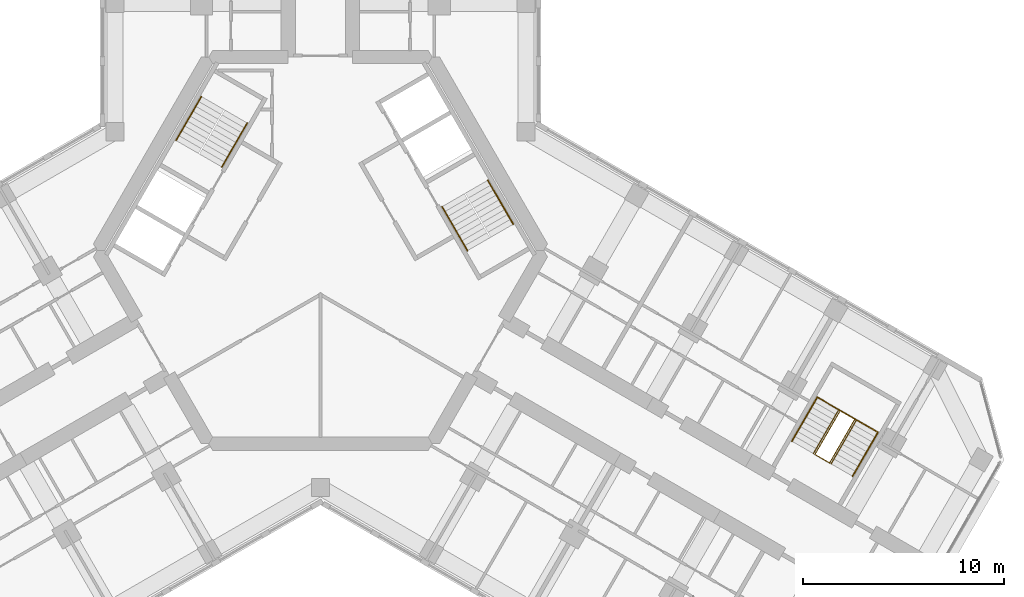
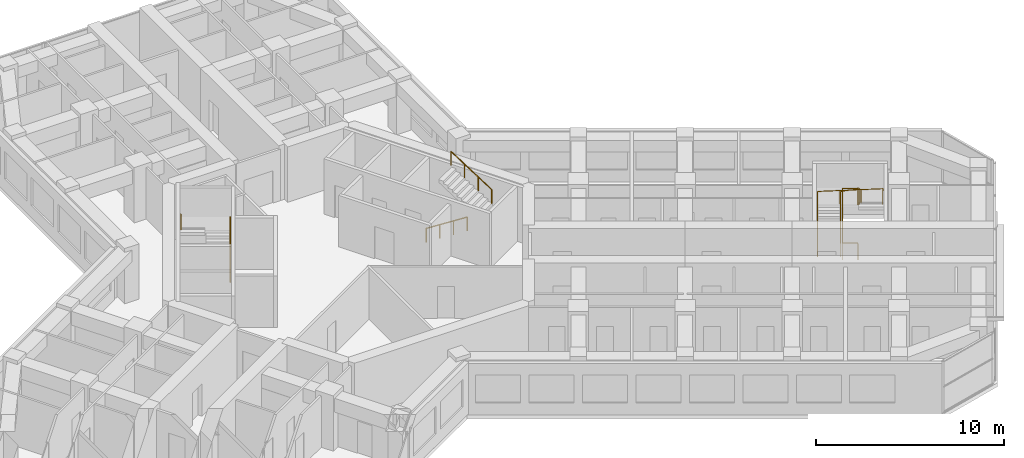
# One storey, part 16 of 16: 7 railings.
"""IFC4 building model written with IfcOpenShell, lengths in metres."""

from ifc_helpers import new_model, si_unit, direction, frame, origin, origin_2d, place, context, subcontext, project, spatial, circle, extrude, material, type_object, element, save


model = new_model("IFC4")

# Units and contexts
model_context = context("Model", 3, precision=1e-05, world=origin(), true_north=direction((0.0, 1.0)))
body_context = subcontext(model_context, "Body", "Model", "MODEL_VIEW")
ifc_project = project(units=[si_unit("LENGTHUNIT", "METRE"), si_unit("AREAUNIT", "SQUARE_METRE"), si_unit("VOLUMEUNIT", "CUBIC_METRE"), si_unit("PLANEANGLEUNIT", "RADIAN"), si_unit("MASSUNIT", "GRAM", prefix="KILO")], contexts=[model_context])

# Site, building, storey
site_placement = place(None, origin())
site = spatial("IfcSite", under=ifc_project, at=site_placement, CompositionType="ELEMENT")
building_placement = place(site_placement, origin())
building = spatial("IfcBuilding", under=site, at=building_placement, Name="Kosmar Iwan School Tower", CompositionType="ELEMENT")
storey_placement = place(building_placement, frame((0.0, 0.0, 204.60009765625)))
storey = spatial("IfcBuildingStorey", under=building, at=storey_placement, Name="L51", CompositionType="ELEMENT", Elevation=204.60009765625)

# Railings
ifc_material_1 = material(Name="Black steel", Category="steel")
railing_type_1 = type_object("IfcRailingType", Name="Stair handrail 900", PredefinedType="HANDRAIL", material=ifc_material_1)
railing_1_placement = place(storey_placement, frame((-4.89453125, 4.142333984375, 0.179931640625)))
element("IfcRailing", 1, at=railing_1_placement, inside=storey, type_object=railing_type_1, Name="Handrail ST2 flight 1", PredefinedType="HANDRAIL", context=body_context, shape_type="SweptSolid", body=[
    extrude(circle(Radius=0.02392578125, at=origin_2d()), frame((0.0, 0.0, 0.8759765625), z_axis=(0.42060268101, 0.72849590497, 0.54072830624), x_axis=(-0.866022637375, 0.500004791531, 0.0)), (0.0, 0.0, 1.0), 2.99560546875),
    extrude(circle(Radius=0.02099609375, at=origin_2d()), origin(), (0.0, 0.0, 1.0), 0.851806640625),
    extrude(circle(Radius=0.02099609375, at=origin_2d()), frame((0.419921875, 0.7275390625, 0.5400390625)), (0.0, 0.0, 1.0), 0.851806640625),
    extrude(circle(Radius=0.02099609375, at=origin_2d()), frame((0.840087890625, 1.454833984375, 1.079833984375)), (0.0, 0.0, 1.0), 0.851806640625),
    extrude(circle(Radius=0.02099609375, at=origin_2d()), frame((1.260009765625, 2.182373046875, 1.619873046875)), (0.0, 0.0, 1.0), 0.851806640625),
])
railing_2_placement = place(storey_placement, frame((-5.912353515625, 7.6396484375, 1.97998046875)))
element("IfcRailing", 2, at=railing_2_placement, inside=storey, type_object=railing_type_1, Name="Handrail ST2 flight 2", PredefinedType="HANDRAIL", context=body_context, shape_type="SweptSolid", body=[
    extrude(circle(Radius=0.02392578125, at=origin_2d()), frame((0.0, 0.0, 0.8759765625), z_axis=(-0.42060268101, -0.72849590497, 0.54072830624), x_axis=(0.866022637375, -0.500004791531, 0.0)), (0.0, 0.0, 1.0), 2.99560546875),
    extrude(circle(Radius=0.02099609375, at=origin_2d()), origin(), (0.0, 0.0, 1.0), 0.851806640625),
    extrude(circle(Radius=0.02099609375, at=origin_2d()), frame((-0.419921875, -0.7275390625, 0.5400390625)), (0.0, 0.0, 1.0), 0.851806640625),
    extrude(circle(Radius=0.02099609375, at=origin_2d()), frame((-0.840087890625, -1.454833984375, 1.079833984375)), (0.0, 0.0, 1.0), 0.851806640625),
    extrude(circle(Radius=0.02099609375, at=origin_2d()), frame((-1.260009765625, -2.182373046875, 1.619873046875)), (0.0, 0.0, 1.0), 0.851806640625),
])
railing_3_placement = place(storey_placement, frame((6.03466796875, 2.167724609375, 0.179931640625)))
element("IfcRailing", 3, at=railing_3_placement, inside=storey, type_object=railing_type_1, Name="Handrail ST1 flight 1", PredefinedType="HANDRAIL", context=body_context, shape_type="SweptSolid", body=[
    extrude(circle(Radius=0.02392578125, at=origin_2d()), frame((0.0, 0.0, 0.8759765625), z_axis=(0.42060268101, -0.72849590497, 0.54072830624), x_axis=(0.866022637375, 0.500004791531, 0.0)), (0.0, 0.0, 1.0), 2.99560546875),
    extrude(circle(Radius=0.02099609375, at=origin_2d()), origin(), (0.0, 0.0, 1.0), 0.851806640625),
    extrude(circle(Radius=0.02099609375, at=origin_2d()), frame((0.419921875, -0.7275390625, 0.5400390625)), (0.0, 0.0, 1.0), 0.851806640625),
    extrude(circle(Radius=0.02099609375, at=origin_2d()), frame((0.840087890625, -1.454833984375, 1.079833984375)), (0.0, 0.0, 1.0), 0.851806640625),
    extrude(circle(Radius=0.02099609375, at=origin_2d()), frame((1.260009765625, -2.182373046875, 1.619873046875)), (0.0, 0.0, 1.0), 0.851806640625),
])
railing_4_placement = place(storey_placement, frame((9.572265625, 1.30029296875, 1.97998046875)))
element("IfcRailing", 4, at=railing_4_placement, inside=storey, type_object=railing_type_1, Name="Handrail ST1 flight 2", PredefinedType="HANDRAIL", context=body_context, shape_type="SweptSolid", body=[
    extrude(circle(Radius=0.02392578125, at=origin_2d()), frame((0.0, 0.0, 0.8759765625), z_axis=(-0.42060268101, 0.72849590497, 0.54072830624), x_axis=(-0.866022637375, -0.500004791531, 0.0)), (0.0, 0.0, 1.0), 2.99560546875),
    extrude(circle(Radius=0.02099609375, at=origin_2d()), origin(), (0.0, 0.0, 1.0), 0.851806640625),
    extrude(circle(Radius=0.02099609375, at=origin_2d()), frame((-0.419921875, 0.7275390625, 0.5400390625)), (0.0, 0.0, 1.0), 0.851806640625),
    extrude(circle(Radius=0.02099609375, at=origin_2d()), frame((-0.840087890625, 1.454833984375, 1.079833984375)), (0.0, 0.0, 1.0), 0.851806640625),
    extrude(circle(Radius=0.02099609375, at=origin_2d()), frame((-1.260009765625, 2.182373046875, 1.619873046875)), (0.0, 0.0, 1.0), 0.851806640625),
])
railing_5_placement = place(storey_placement, frame((23.4091796875, -9.473876953125, 0.179931640625)))
element("IfcRailing", 5, at=railing_5_placement, inside=storey, type_object=railing_type_1, Name="Handrail stair WS3 L51 wall side", PredefinedType="HANDRAIL", context=body_context, shape_type="SweptSolid", body=[
    extrude(circle(Radius=0.02392578125, at=origin_2d()), frame((0.0, 0.0, 0.8759765625), z_axis=(0.42060268101, 0.72849590497, 0.54072830624), x_axis=(-0.866022637375, 0.500004791531, 0.0)), (0.0, 0.0, 1.0), 2.99560546875),
    extrude(circle(Radius=0.02392578125, at=origin_2d()), frame((1.260009765625, 2.182373046875, 2.49560546875), z_axis=(0.864878876685, -0.499310794179, 0.051703573187), x_axis=(0.499979528911, 0.866037222451, 0.0)), (0.0, 0.0, 1.0), 3.48486328125),
    extrude(circle(Radius=0.02392578125, at=origin_2d()), frame((4.27392578125, 0.4423828125, 2.67578125), z_axis=(-0.42060268101, -0.72849590497, 0.54072830624), x_axis=(0.866022637375, -0.500004791531, 0.0)), (0.0, 0.0, 1.0), 2.99560546875),
    extrude(circle(Radius=0.02099609375, at=origin_2d()), origin(), (0.0, 0.0, 1.0), 0.851806640625),
    extrude(circle(Radius=0.02099609375, at=origin_2d()), frame((0.419921875, 0.7275390625, 0.5400390625)), (0.0, 0.0, 1.0), 0.851806640625),
    extrude(circle(Radius=0.02099609375, at=origin_2d()), frame((0.840087890625, 1.454833984375, 1.079833984375)), (0.0, 0.0, 1.0), 0.851806640625),
    extrude(circle(Radius=0.02099609375, at=origin_2d()), frame((1.260009765625, 2.182373046875, 1.619873046875)), (0.0, 0.0, 1.0), 0.851806640625),
    extrude(circle(Radius=0.02099609375, at=origin_2d()), frame((2.2646484375, 1.602294921875, 1.679931640625)), (0.0, 0.0, 1.0), 0.851806640625),
    extrude(circle(Radius=0.02099609375, at=origin_2d()), frame((3.269287109375, 1.0224609375, 1.739990234375)), (0.0, 0.0, 1.0), 0.851806640625),
    extrude(circle(Radius=0.02099609375, at=origin_2d()), frame((4.27392578125, 0.4423828125, 1.800048828125)), (0.0, 0.0, 1.0), 0.851806640625),
    extrude(circle(Radius=0.02099609375, at=origin_2d()), frame((3.85400390625, -0.28515625, 2.340087890625)), (0.0, 0.0, 1.0), 0.851806640625),
    extrude(circle(Radius=0.02099609375, at=origin_2d()), frame((3.433837890625, -1.012451171875, 2.8798828125)), (0.0, 0.0, 1.0), 0.851806640625),
    extrude(circle(Radius=0.02099609375, at=origin_2d()), frame((3.013916015625, -1.739990234375, 3.419921875)), (0.0, 0.0, 1.0), 0.851806640625),
])
railing_6_placement = place(storey_placement, frame((24.474609375, -10.0888671875, 0.179931640625)))
element("IfcRailing", 6, at=railing_6_placement, inside=storey, type_object=railing_type_1, Name="Handrail stair WS3 L51 well side", PredefinedType="HANDRAIL", context=body_context, shape_type="SweptSolid", body=[
    extrude(circle(Radius=0.02392578125, at=origin_2d()), frame((0.0, 0.0, 0.8759765625), z_axis=(0.42060268101, 0.72849590497, 0.54072830624), x_axis=(-0.866022637375, 0.500004791531, 0.0)), (0.0, 0.0, 1.0), 2.99560546875),
    extrude(circle(Radius=0.02392578125, at=origin_2d()), frame((1.260009765625, 2.182373046875, 2.49560546875), z_axis=(0.852806573049, -0.492402689635, 0.173955569627), x_axis=(0.500026340207, 0.866010195725, 0.0)), (0.0, 0.0, 1.0), 1.03564453125),
    extrude(circle(Radius=0.02392578125, at=origin_2d()), frame((2.143310546875, 1.67236328125, 2.67578125), z_axis=(-0.42060268101, -0.72849590497, 0.54072830624), x_axis=(0.866022637375, -0.500004791531, 0.0)), (0.0, 0.0, 1.0), 2.99560546875),
    extrude(circle(Radius=0.02099609375, at=origin_2d()), origin(), (0.0, 0.0, 1.0), 0.851806640625),
    extrude(circle(Radius=0.02099609375, at=origin_2d()), frame((0.419921875, 0.7275390625, 0.5400390625)), (0.0, 0.0, 1.0), 0.851806640625),
    extrude(circle(Radius=0.02099609375, at=origin_2d()), frame((0.840087890625, 1.454833984375, 1.079833984375)), (0.0, 0.0, 1.0), 0.851806640625),
    extrude(circle(Radius=0.02099609375, at=origin_2d()), frame((1.260009765625, 2.182373046875, 1.619873046875)), (0.0, 0.0, 1.0), 0.851806640625),
    extrude(circle(Radius=0.02099609375, at=origin_2d()), frame((2.143310546875, 1.67236328125, 1.800048828125)), (0.0, 0.0, 1.0), 0.851806640625),
    extrude(circle(Radius=0.02099609375, at=origin_2d()), frame((1.723388671875, 0.94482421875, 2.340087890625)), (0.0, 0.0, 1.0), 0.851806640625),
    extrude(circle(Radius=0.02099609375, at=origin_2d()), frame((1.30322265625, 0.217529296875, 2.8798828125)), (0.0, 0.0, 1.0), 0.851806640625),
    extrude(circle(Radius=0.02099609375, at=origin_2d()), frame((0.88330078125, -0.510009765625, 3.419921875)), (0.0, 0.0, 1.0), 0.851806640625),
])
ifc_material_2 = material(Name="Black steel", Category="steel")
railing_type_2 = type_object("IfcRailingType", Name="Stair well guard 1100", PredefinedType="GUARDRAIL", material=ifc_material_2)
railing_7_placement = place(storey_placement, frame((25.280029296875, -10.553955078125, 0.0)))
element("IfcRailing", 7, at=railing_7_placement, inside=storey, type_object=railing_type_2, Name="Stair WS3 L51 well guard", PredefinedType="GUARDRAIL", context=body_context, shape_type="SweptSolid", body=[
    extrude(circle(Radius=0.02392578125, at=origin_2d()), frame((0.0, 0.0, 1.076171875), z_axis=(-0.865962960534, 0.500108139288, 0.0), x_axis=(-0.500108139288, -0.865962960534, 0.0)), (0.0, 0.0, 1.0), 0.840087890625),
    extrude(circle(Radius=0.02392578125, at=origin_2d()), frame((-0.7275390625, 0.420166015625, 1.076171875), z_axis=(0.406885297737, 0.704737003773, 0.581197135229), x_axis=(-0.866022637375, 0.500004791531, 0.0)), (0.0, 0.0, 1.0), 3.0966796875),
    extrude(circle(Radius=0.02392578125, at=origin_2d()), frame((0.532470703125, 2.6025390625, 2.8759765625), z_axis=(0.865890253765, -0.500234013672, 0.0), x_axis=(0.500234013672, 0.865890253765, 0.0)), (0.0, 0.0, 1.0), 0.83984375),
    extrude(circle(Radius=0.02392578125, at=origin_2d()), frame((1.259765625, 2.182373046875, 2.8759765625), z_axis=(-0.406800866334, -0.70472731476, 0.58126798207), x_axis=(0.866064587494, -0.499932125682, 0.0)), (0.0, 0.0, 1.0), 3.0966796875),
    extrude(circle(Radius=0.02099609375, at=origin_2d()), origin(), (0.0, 0.0, 1.0), 1.052001953125),
    extrude(circle(Radius=0.02099609375, at=origin_2d()), frame((-0.7275390625, 0.420166015625, 0.0)), (0.0, 0.0, 1.0), 1.052001953125),
    extrude(circle(Radius=0.02099609375, at=origin_2d()), frame((-0.3076171875, 1.147705078125, 0.599853515625)), (0.0, 0.0, 1.0), 1.052001953125),
    extrude(circle(Radius=0.02099609375, at=origin_2d()), frame((0.112548828125, 1.875, 1.199951171875)), (0.0, 0.0, 1.0), 1.052001953125),
    extrude(circle(Radius=0.02099609375, at=origin_2d()), frame((0.532470703125, 2.6025390625, 1.7998046875)), (0.0, 0.0, 1.0), 1.052001953125),
    extrude(circle(Radius=0.02099609375, at=origin_2d()), frame((1.259765625, 2.182373046875, 1.7998046875)), (0.0, 0.0, 1.0), 1.052001953125),
    extrude(circle(Radius=0.02099609375, at=origin_2d()), frame((0.83984375, 1.454833984375, 2.39990234375)), (0.0, 0.0, 1.0), 1.052001953125),
    extrude(circle(Radius=0.02099609375, at=origin_2d()), frame((0.419921875, 0.7275390625, 2.999755859375)), (0.0, 0.0, 1.0), 1.052001953125),
    extrude(circle(Radius=0.02099609375, at=origin_2d()), frame((0.0, 0.0, 3.599853515625)), (0.0, 0.0, 1.0), 1.052001953125),
])

save(model, "model.ifc")
